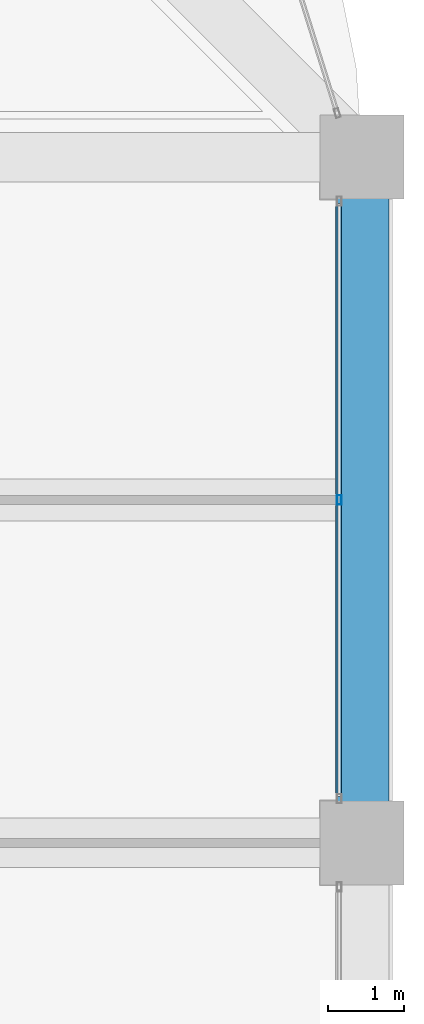
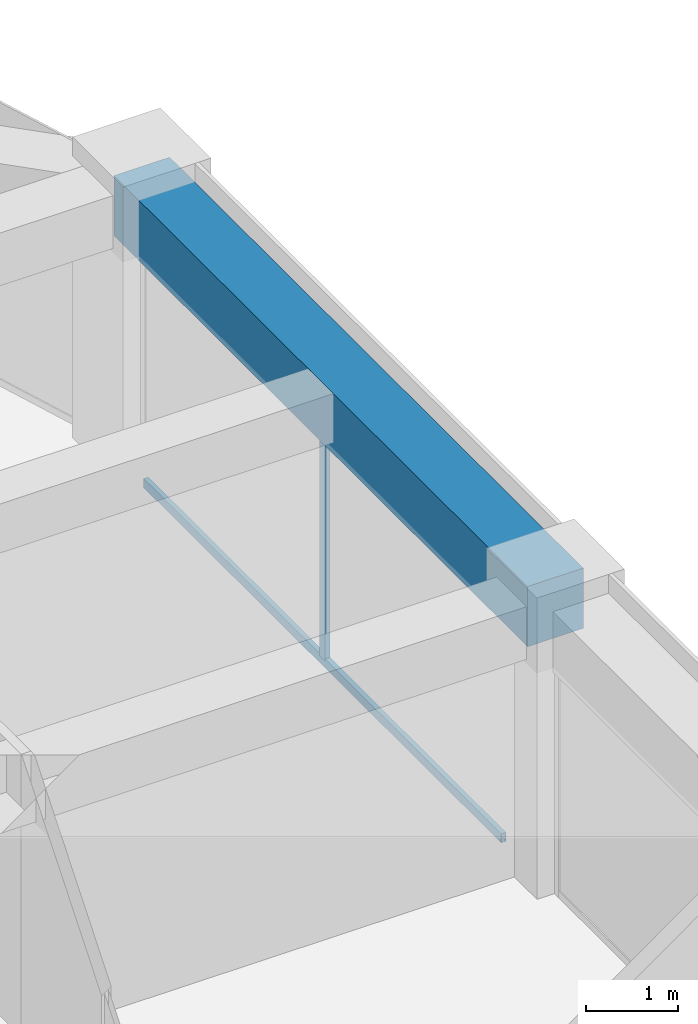
# One storey, part 27 of 44: 2 members, 1 beam, 1 element without a shape of its own.
"""IFC4 building model written with IfcOpenShell, lengths in metres."""

from ifc_helpers import new_model, si_unit, direction, frame, origin, origin_2d, place, context, subcontext, project, spatial, rectangle, hollow_rectangle, extrude, material, material_profile, profile_set, type_object, element, aggregate, save


model = new_model("IFC4")

# Units and contexts
model_context = context("Model", 3, precision=1e-05, world=origin(), true_north=direction((0.0, 1.0)))
body_context = subcontext(model_context, "Body", "Model", "MODEL_VIEW")
ifc_project = project(units=[si_unit("LENGTHUNIT", "METRE"), si_unit("AREAUNIT", "SQUARE_METRE"), si_unit("VOLUMEUNIT", "CUBIC_METRE"), si_unit("PLANEANGLEUNIT", "RADIAN"), si_unit("MASSUNIT", "GRAM", prefix="KILO")], contexts=[model_context])

# Site, building, storey
site_placement = place(None, origin())
site = spatial("IfcSite", under=ifc_project, at=site_placement, CompositionType="ELEMENT")
building_placement = place(site_placement, origin())
building = spatial("IfcBuilding", under=site, at=building_placement, Name="Zorevar Civic Tower", CompositionType="ELEMENT")
storey_placement = place(building_placement, frame((0.0, 0.0, 299.39990234375)))
storey = spatial("IfcBuildingStorey", under=building, at=storey_placement, Name="L73", CompositionType="ELEMENT", Elevation=299.39990234375)

# Curtain wall, members
ifc_material_1 = material(Name="Dark grey solar-control glass in black aluminium frame", Category="aluminium")
curtain_wall_type = type_object("IfcCurtainWallType", Name="Curtain wall CW5 top zone", PredefinedType="NOTDEFINED", material=ifc_material_1)
curtain_wall_placement = place(storey_placement, origin())
curtain_wall = element("IfcCurtainWall", 1, at=curtain_wall_placement, inside=storey, type_object=curtain_wall_type, Name="CW5 L73", PredefinedType="NOTDEFINED")
ifc_material_2 = material(Name="Aluminium, black anodised", Category="aluminium")
ifc_material_profile_1 = material_profile(ifc_material_2, hollow_rectangle(XDim=0.06005859375, YDim=0.1201171875, WallThickness=0.0029296875, at=origin_2d()), Name="AL 120x60x3")
ifc_profile_set_1 = profile_set([ifc_material_profile_1], Name="Aluminium, black anodised")
member_type_1 = type_object("IfcMemberType", Name="CW5 mullion AL 120x60x3", PredefinedType="MULLION", material=ifc_profile_set_1)
member_1_placement = place(storey_placement, frame((53.699951171875, 31.5, 0.06005859375), z_axis=(0.0, 0.0, 1.0), x_axis=(-1.0, 0.0, 0.0)))
member_1 = element("IfcMember", 2, at=member_1_placement, type_object=member_type_1, Name="CW5 mullion 2", PredefinedType="MULLION", context=body_context, shape_type="SweptSolid", body=[
    extrude(hollow_rectangle(XDim=0.06005859375, YDim=0.1201171875, WallThickness=0.0029296875, at=origin_2d()), origin(), (0.0, 0.0, 1.0), 2.89013671875),
])
ifc_material_3 = material(Name="Aluminium, black anodised", Category="aluminium")
ifc_material_profile_2 = material_profile(ifc_material_3, hollow_rectangle(XDim=0.06005859375, YDim=0.1201171875, WallThickness=0.0029296875, at=origin_2d()), Name="AL 120x60x3")
ifc_profile_set_2 = profile_set([ifc_material_profile_2], Name="Aluminium, black anodised")
member_type_2 = type_object("IfcMemberType", Name="CW5 transom AL 120x60x3", PredefinedType="USERDEFINED", material=ifc_profile_set_2)
member_2_placement = place(storey_placement, frame((53.699951171875, 27.610107421875, 0.030029296875), z_axis=(0.0, 1.0, 0.0), x_axis=(-1.0, 0.0, 0.0)))
member_2 = element("IfcMember", 3, at=member_2_placement, type_object=member_type_2, Name="CW5 sill transom", ObjectType="TRANSOM", PredefinedType="USERDEFINED", context=body_context, shape_type="SweptSolid", body=[
    extrude(hollow_rectangle(XDim=0.06005859375, YDim=0.1201171875, WallThickness=0.0029296875, at=origin_2d()), origin(), (0.0, 0.0, 1.0), 7.77978515625),
])
aggregate(curtain_wall, [member_1, member_2])

# Beam
ifc_material_4 = material(Name="Concrete C50/60", Category="concrete")
ifc_material_profile_3 = material_profile(ifc_material_4, rectangle(XDim=0.699951171875, YDim=0.800048828125, at=origin_2d()), Name="RC 700x800")
ifc_profile_set_3 = profile_set([ifc_material_profile_3], Name="Concrete C50/60")
beam_type = type_object("IfcBeamType", Name="Edge beam RC 700x800", PredefinedType="SPANDREL", material=ifc_profile_set_3)
beam_placement = place(storey_placement, frame((54.0, 27.0, 3.35009765625), z_axis=(0.0, 1.0, 0.0), x_axis=(-1.0, 0.0, 0.0)))
element("IfcBeam", 4, at=beam_placement, inside=storey, type_object=beam_type, Name="Edge beam L74", PredefinedType="SPANDREL", context=body_context, shape_type="SweptSolid", body=[
    extrude(rectangle(XDim=0.699951171875, YDim=0.800048828125, at=origin_2d()), origin(), (0.0, 0.0, 1.0), 9.0),
])

save(model, "model.ifc")
